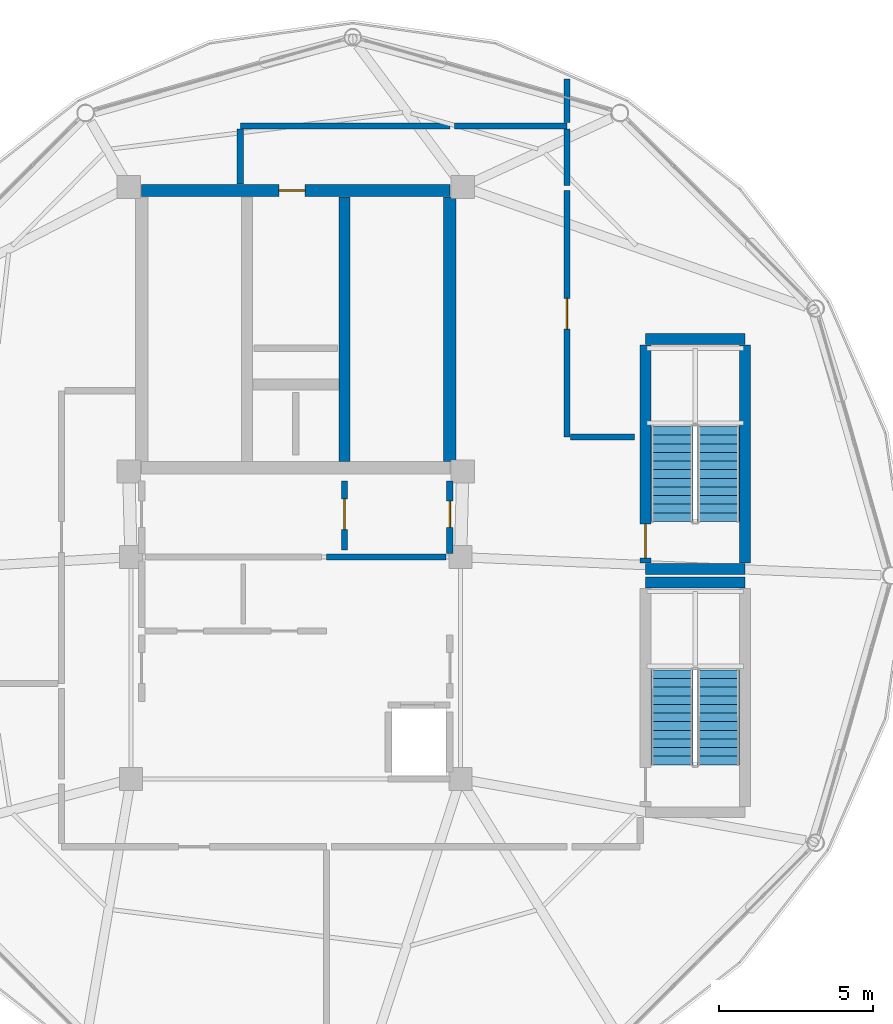
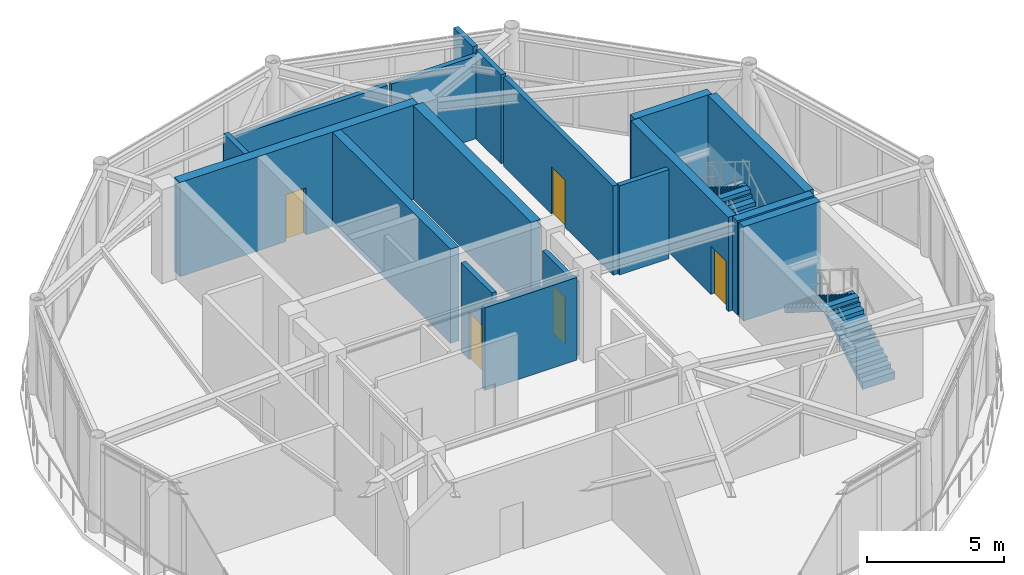
# One storey, part 17 of 20: 18 walls, 5 doors, 4 stair flights, 5 openings, 2 elements without a shape of their own.
"""IFC4 building model written with IfcOpenShell, lengths in metres."""

from ifc_helpers import new_model, si_unit, direction, frame, frame_2d, origin, place, context, subcontext, project, spatial, polyline, rectangle, outline, extrude, material, layer, layer_set, type_object, element, fill, aggregate, save


model = new_model("IFC4")

# Units and contexts
model_context = context("Model", 3, precision=1e-05, world=origin(), true_north=direction((0.0, 1.0)))
body_context = subcontext(model_context, "Body", "Model", "MODEL_VIEW")
ifc_project = project(units=[si_unit("LENGTHUNIT", "METRE"), si_unit("AREAUNIT", "SQUARE_METRE"), si_unit("VOLUMEUNIT", "CUBIC_METRE"), si_unit("PLANEANGLEUNIT", "RADIAN"), si_unit("MASSUNIT", "GRAM", prefix="KILO")], contexts=[model_context])

# Site, building, storey
site_placement = place(None, origin())
site = spatial("IfcSite", under=ifc_project, at=site_placement, CompositionType="ELEMENT")
building_placement = place(site_placement, origin())
building = spatial("IfcBuilding", under=site, at=building_placement, Name="Varnakorn Sky Granary", CompositionType="ELEMENT")
storey_placement = place(building_placement, frame((0.0, 0.0, 302.39990234375)))
storey = spatial("IfcBuildingStorey", under=building, at=storey_placement, Name="L77", CompositionType="ELEMENT", Elevation=302.39990234375)

# Walls
ifc_material_1 = material(Name="Concrete C50/60", Category="concrete")
ifc_layer_1 = layer(ifc_material_1, 0.35009765625, Name="Concrete C50/60")
ifc_layer_set_1 = layer_set([ifc_layer_1], Name="Concrete C50/60")
wall_type_1 = type_object("IfcWallType", Name="WT-CW-INT-350", PredefinedType="SHEAR", material=ifc_layer_set_1)
for number, where, z_axis, x_axis, name in (
    (1, (14.35009765625, 0.219970703125, 0.0), (0.0, 0.0, 1.0), (1.0, 0.0, 0.0), "Crown Stair STC1 South Wall L77"),
    (2, (14.35009765625, 7.679931640625, 0.0), (0.0, 0.0, 1.0), (1.0, 0.0, 0.0), "Crown Stair STC1 North Wall L77"),
):
    element("IfcWall", number, at=place(storey_placement, frame(where, z_axis=z_axis, x_axis=x_axis)), inside=storey, type_object=wall_type_1, Name=name, PredefinedType="SHEAR", context=body_context, shape_type="SweptSolid", body=[
        extrude(rectangle(XDim=3.22998046875, YDim=0.35009765625, at=frame_2d((1.614990234375, 0.0))), origin(), (0.0, 0.0, 1.0), 4.192138671875),
    ])

# Wall, opening, door
wall_1_placement = place(storey_placement, frame((14.35009765625, 0.409912109375, 0.0), z_axis=(0.0, 0.0, 1.0), x_axis=(0.0, 1.0, 0.0)))
wall_1 = element("IfcWall", 3, at=wall_1_placement, inside=storey, type_object=wall_type_1, Name="Crown Stair STC1 West Wall L77", PredefinedType="SHEAR", context=body_context, shape_type="SweptSolid", body=[
    extrude(rectangle(XDim=7.080078125, YDim=0.35009765625, at=frame_2d((3.5400390625, 0.0))), origin(), (0.0, 0.0, 1.0), 4.192138671875),
])
opening_1_placement = place(wall_1_placement, frame((0.159912109375, 0.0, 0.0)))
opening_1 = element("IfcOpeningElement", 4, at=opening_1_placement, cuts=wall_1, Name="Opening FD-90", PredefinedType="OPENING", context=body_context, shape_type="SweptSolid", body=[
    extrude(rectangle(XDim=1.10009765625, YDim=2.14990234375, at=frame_2d((0.550048828125, 1.074951171875))), frame((0.0, 0.18505859375, 0.0), z_axis=(0.0, -1.0, 0.0), x_axis=(1.0, 0.0, 0.0)), (0.0, 0.0, 1.0), 0.3701171875),
])
ifc_material_2 = material(Name="Galvanised Painted Steel Leaf", Category="steel")
door_type_1 = type_object("IfcDoorType", Name="DR-STAIR-1100", OperationType="NOTDEFINED", PredefinedType="DOOR", material=ifc_material_2)
door_1_placement = place(opening_1_placement, origin())
door_1 = element("IfcDoor", 5, at=door_1_placement, inside=storey, type_object=door_type_1, Name="Crown Stair STC1 Protected Fire Door L77", OperationType="SINGLE_SWING_LEFT", OverallHeight=2.14990234375, OverallWidth=1.10009765625, PredefinedType="DOOR", context=body_context, shape_type="SweptSolid", body=[
    extrude(rectangle(XDim=1.10009765625, YDim=2.14990234375, at=frame_2d((0.550048828125, 1.074951171875))), frame((0.0, 0.02490234375, 0.0), z_axis=(0.0, -1.0, 0.0), x_axis=(1.0, 0.0, 0.0)), (0.0, 0.0, 1.0), 0.050048828125),
])
fill(opening_1, door_1)

# Walls
wall_2_placement = place(storey_placement, frame((17.580078125, 0.409912109375, 0.0), z_axis=(0.0, 0.0, 1.0), x_axis=(0.0, 1.0, 0.0)))
element("IfcWall", 6, at=wall_2_placement, inside=storey, type_object=wall_type_1, Name="Crown Stair STC1 East Wall L77", PredefinedType="SHEAR", context=body_context, shape_type="SweptSolid", body=[
    extrude(rectangle(XDim=7.080078125, YDim=0.35009765625, at=frame_2d((3.5400390625, 0.0))), origin(), (0.0, 0.0, 1.0), 4.192138671875),
])
wall_3_placement = place(storey_placement, frame((14.35009765625, -0.219970703125, 0.0), z_axis=(0.0, 0.0, 1.0), x_axis=(1.0, 0.0, 0.0)))
element("IfcWall", 7, at=wall_3_placement, inside=storey, type_object=wall_type_1, Name="Crown Stair STC2 North Wall L77", PredefinedType="SHEAR", context=body_context, shape_type="SweptSolid", body=[
    extrude(rectangle(XDim=3.22998046875, YDim=0.35009765625, at=frame_2d((1.614990234375, 0.0))), origin(), (0.0, 0.0, 1.0), 4.192138671875),
])
wall_4_placement = place(storey_placement, frame((4.580078125, 3.7099609375, 0.0), z_axis=(0.0, 0.0, 1.0), x_axis=(0.0, 1.0, 0.0)))
element("IfcWall", 8, at=wall_4_placement, inside=storey, type_object=wall_type_1, Name="Stair ST-2 Core Wall L77", PredefinedType="SHEAR", context=body_context, shape_type="SweptSolid", body=[
    extrude(rectangle(XDim=8.580078125, YDim=0.35009765625, at=frame_2d((4.2900390625, 0.0))), origin(), (0.0, 0.0, 1.0), 4.192138671875),
])

# Wall, opening, door
ifc_layer_2 = layer(ifc_material_1, 0.39990234375, Name="Concrete C50/60")
ifc_layer_set_2 = layer_set([ifc_layer_2], Name="Concrete C50/60")
wall_type_2 = type_object("IfcWallType", Name="WT-CW-SHEAR-400", PredefinedType="SHEAR", material=ifc_layer_set_2)
wall_5_placement = place(storey_placement, frame((-2.0, 12.5, 0.0), z_axis=(0.0, 0.0, 1.0), x_axis=(1.0, 0.0, 0.0)))
wall_5 = element("IfcWall", 9, at=wall_5_placement, inside=storey, type_object=wall_type_2, Name="Core North Shear Wall L77", PredefinedType="SHEAR", context=body_context, shape_type="SweptSolid", body=[
    extrude(rectangle(XDim=10.0, YDim=0.39990234375, at=frame_2d((5.0, 0.0))), origin(), (0.0, 0.0, 1.0), 4.192138671875),
])
opening_2_placement = place(wall_5_placement, frame((4.449951171875, 0.0, 0.0)))
opening_2 = element("IfcOpeningElement", 10, at=opening_2_placement, cuts=wall_5, Name="Opening FD-60N", PredefinedType="OPENING", context=body_context, shape_type="SweptSolid", body=[
    extrude(rectangle(XDim=0.85009765625, YDim=2.10009765625, at=frame_2d((0.425048828125, 1.050048828125))), frame((0.0, 0.2099609375, 0.0), z_axis=(0.0, -1.0, 0.0), x_axis=(1.0, 0.0, 0.0)), (0.0, 0.0, 1.0), 0.419921875),
])
ifc_material_3 = material(Name="Acoustic Timber Fire Leaf", Category="wood")
door_type_2 = type_object("IfcDoorType", Name="DR-FD60-850", OperationType="NOTDEFINED", PredefinedType="DOOR", material=ifc_material_3)
door_2_placement = place(opening_2_placement, origin())
door_2 = element("IfcDoor", 11, at=door_2_placement, inside=storey, type_object=door_type_2, Name="Core North Service Door L77", OperationType="SINGLE_SWING_LEFT", OverallHeight=2.10009765625, OverallWidth=0.85009765625, PredefinedType="DOOR", context=body_context, shape_type="SweptSolid", body=[
    extrude(rectangle(XDim=0.85009765625, YDim=2.10009765625, at=frame_2d((0.425048828125, 1.050048828125))), frame((0.0, 0.02490234375, 0.0), z_axis=(0.0, -1.0, 0.0), x_axis=(1.0, 0.0, 0.0)), (0.0, 0.0, 1.0), 0.050048828125),
])
fill(opening_2, door_2)

# Wall
wall_6_placement = place(storey_placement, frame((8.0, 3.7099609375, 0.0), z_axis=(0.0, 0.0, 1.0), x_axis=(0.0, 1.0, 0.0)))
element("IfcWall", 12, at=wall_6_placement, inside=storey, type_object=wall_type_2, Name="Core East Shear Wall L77", PredefinedType="SHEAR", context=body_context, shape_type="SweptSolid", body=[
    extrude(rectangle(XDim=8.580078125, YDim=0.39990234375, at=frame_2d((4.2900390625, 0.0))), origin(), (0.0, 0.0, 1.0), 4.192138671875),
])

# Wall, opening, door
ifc_material_4 = material(Name="Autoclaved Aerated Concrete Blockwork", Category="masonry")
ifc_layer_3 = layer(ifc_material_4, 0.199951171875, Name="Autoclaved Aerated Concrete Blockwork")
ifc_layer_set_3 = layer_set([ifc_layer_3], Name="Autoclaved Aerated Concrete Blockwork")
wall_type_3 = type_object("IfcWallType", Name="WT-FIRE-200", PredefinedType="MOVABLE", material=ifc_layer_set_3)
wall_7_placement = place(storey_placement, frame((4.580078125, 0.830078125, 0.0), z_axis=(0.0, 0.0, 1.0), x_axis=(0.0, 1.0, 0.0)))
wall_7 = element("IfcWall", 13, at=wall_7_placement, inside=storey, type_object=wall_type_3, Name="Interior Partition Wall L77-008", PredefinedType="MOVABLE", context=body_context, shape_type="SweptSolid", body=[
    extrude(rectangle(XDim=2.239990234375, YDim=0.199951171875, at=frame_2d((1.1201171875, 0.0))), origin(), (0.0, 0.0, 1.0), 3.960205078125),
])
opening_3_placement = place(wall_7_placement, frame((0.659912109375, 0.0, 0.0)))
opening_3 = element("IfcOpeningElement", 14, at=opening_3_placement, cuts=wall_7, Name="Opening FD-60", PredefinedType="OPENING", context=body_context, shape_type="SweptSolid", body=[
    extrude(rectangle(XDim=1.0, YDim=2.10009765625, at=frame_2d((0.5, 1.050048828125))), frame((0.0, 0.10986328125, 0.0), z_axis=(0.0, -1.0, 0.0), x_axis=(1.0, 0.0, 0.0)), (0.0, 0.0, 1.0), 0.219970703125),
])
door_type_3 = type_object("IfcDoorType", Name="DR-FD60-1000", OperationType="NOTDEFINED", PredefinedType="DOOR", material=ifc_material_3)
door_3_placement = place(opening_3_placement, origin())
door_3 = element("IfcDoor", 15, at=door_3_placement, inside=storey, type_object=door_type_3, Name="Interior Door L77-008-1", OperationType="SINGLE_SWING_RIGHT", OverallHeight=2.10009765625, OverallWidth=1.0, PredefinedType="DOOR", context=body_context, shape_type="SweptSolid", body=[
    extrude(rectangle(XDim=1.0, YDim=2.10009765625, at=frame_2d((0.5, 1.050048828125))), frame((0.0, 0.02490234375, 0.0), z_axis=(0.0, -1.0, 0.0), x_axis=(1.0, 0.0, 0.0)), (0.0, 0.0, 1.0), 0.050048828125),
])
fill(opening_3, door_3)

wall_8_placement = place(storey_placement, frame((8.0, 0.719970703125, 0.0), z_axis=(0.0, 0.0, 1.0), x_axis=(0.0, 1.0, 0.0)))
wall_8 = element("IfcWall", 16, at=wall_8_placement, inside=storey, type_object=wall_type_3, Name="Interior Partition Wall L77-010", PredefinedType="MOVABLE", context=body_context, shape_type="SweptSolid", body=[
    extrude(rectangle(XDim=2.35009765625, YDim=0.199951171875, at=frame_2d((1.175048828125, 0.0))), origin(), (0.0, 0.0, 1.0), 3.2919921875),
])
opening_4_placement = place(wall_8_placement, frame((0.844970703125, 0.0, 0.0)))
opening_4 = element("IfcOpeningElement", 17, at=opening_4_placement, cuts=wall_8, Name="Opening FD-60N", PredefinedType="OPENING", context=body_context, shape_type="SweptSolid", body=[
    extrude(rectangle(XDim=0.85009765625, YDim=2.10009765625, at=frame_2d((0.425048828125, 1.050048828125))), frame((0.0, 0.10986328125, 0.0), z_axis=(0.0, -1.0, 0.0), x_axis=(1.0, 0.0, 0.0)), (0.0, 0.0, 1.0), 0.219970703125),
])
door_4_placement = place(opening_4_placement, origin())
door_4 = element("IfcDoor", 18, at=door_4_placement, inside=storey, type_object=door_type_2, Name="Interior Door L77-010-1", OperationType="SINGLE_SWING_RIGHT", OverallHeight=2.10009765625, OverallWidth=0.85009765625, PredefinedType="DOOR", context=body_context, shape_type="SweptSolid", body=[
    extrude(rectangle(XDim=0.85009765625, YDim=2.10009765625, at=frame_2d((0.425048828125, 1.050048828125))), frame((0.0, 0.02490234375, 0.0), z_axis=(0.0, -1.0, 0.0), x_axis=(1.0, 0.0, 0.0)), (0.0, 0.0, 1.0), 0.050048828125),
])
fill(opening_4, door_4)

wall_9_placement = place(storey_placement, frame((11.800048828125, 4.5, 0.0), z_axis=(0.0, 0.0, 1.0), x_axis=(0.0, 1.0, 0.0)))
wall_9 = element("IfcWall", 19, at=wall_9_placement, inside=storey, type_object=wall_type_3, Name="Interior Partition Wall L77-016", PredefinedType="MOVABLE", context=body_context, shape_type="SweptSolid", body=[
    extrude(rectangle(XDim=8.0, YDim=0.199951171875, at=frame_2d((4.0, 0.0))), origin(), (0.0, 0.0, 1.0), 3.960205078125),
])
opening_5_placement = place(wall_9_placement, frame((3.5, 0.0, 0.0)))
opening_5 = element("IfcOpeningElement", 20, at=opening_5_placement, cuts=wall_9, Name="Opening FD-60", PredefinedType="OPENING", context=body_context, shape_type="SweptSolid", body=[
    extrude(rectangle(XDim=1.0, YDim=2.10009765625, at=frame_2d((0.5, 1.050048828125))), frame((0.0, 0.10986328125, 0.0), z_axis=(0.0, -1.0, 0.0), x_axis=(1.0, 0.0, 0.0)), (0.0, 0.0, 1.0), 0.219970703125),
])
door_5_placement = place(opening_5_placement, origin())
door_5 = element("IfcDoor", 21, at=door_5_placement, inside=storey, type_object=door_type_3, Name="Interior Door L77-016-1", OperationType="SINGLE_SWING_LEFT", OverallHeight=2.10009765625, OverallWidth=1.0, PredefinedType="DOOR", context=body_context, shape_type="SweptSolid", body=[
    extrude(rectangle(XDim=1.0, YDim=2.10009765625, at=frame_2d((0.5, 1.050048828125))), frame((0.0, 0.02490234375, 0.0), z_axis=(0.0, -1.0, 0.0), x_axis=(1.0, 0.0, 0.0)), (0.0, 0.0, 1.0), 0.050048828125),
])
fill(opening_5, door_5)

# Walls
wall_10_placement = place(storey_placement, frame((8.0, 14.60009765625, 0.0), z_axis=(0.0, 0.0, 1.0), x_axis=(-1.0, 0.0, 0.0)))
element("IfcWall", 22, at=wall_10_placement, inside=storey, type_object=wall_type_3, Name="Interior Partition Wall L77-020", PredefinedType="MOVABLE", context=body_context, shape_type="SweptSolid", body=[
    extrude(rectangle(XDim=6.800048828125, YDim=0.199951171875, at=frame_2d((3.39990234375, 0.0))), origin(), (0.0, 0.0, 1.0), 3.672119140625),
])
wall_11_placement = place(storey_placement, frame((11.800048828125, 14.60009765625, 0.0), z_axis=(0.0, 0.0, 1.0), x_axis=(-1.0, 0.0, 0.0)))
element("IfcWall", 23, at=wall_11_placement, inside=storey, type_object=wall_type_3, Name="Interior Partition Wall L77-021", PredefinedType="MOVABLE", context=body_context, shape_type="SweptSolid", body=[
    extrude(rectangle(XDim=3.64013671875, YDim=0.199951171875, at=frame_2d((1.820068359375, 0.0))), origin(), (0.0, 0.0, 1.0), 3.672119140625),
])
wall_12_placement = place(storey_placement, frame((1.199951171875, 14.489990234375, 0.0), z_axis=(0.0, 0.0, 1.0), x_axis=(0.0, -1.0, 0.0)))
element("IfcWall", 24, at=wall_12_placement, inside=storey, type_object=wall_type_3, Name="Interior Partition Wall L77-023", PredefinedType="MOVABLE", context=body_context, shape_type="SweptSolid", body=[
    extrude(rectangle(XDim=1.780029296875, YDim=0.199951171875, at=frame_2d((0.89013671875, 0.0))), origin(), (0.0, 0.0, 1.0), 3.960205078125),
])
wall_13_placement = place(storey_placement, frame((13.9951171875, 4.5, 0.0), z_axis=(0.0, 0.0, 1.0), x_axis=(-1.0, 0.0, 0.0)))
element("IfcWall", 25, at=wall_13_placement, inside=storey, type_object=wall_type_3, Name="Interior Partition Wall L77-028", PredefinedType="MOVABLE", context=body_context, shape_type="SweptSolid", body=[
    extrude(rectangle(XDim=2.085205078125, YDim=0.199951171875, at=frame_2d((1.04248046875, 0.0))), origin(), (0.0, 0.0, 1.0), 3.960205078125),
])
wall_14_placement = place(storey_placement, frame((11.800048828125, 12.659912109375, 0.0), z_axis=(0.0, 0.0, 1.0), x_axis=(0.0, 1.0, 0.0)))
element("IfcWall", 26, at=wall_14_placement, inside=storey, type_object=wall_type_3, Name="Interior Partition Wall L77-029", PredefinedType="MOVABLE", context=body_context, shape_type="SweptSolid", body=[
    extrude(rectangle(XDim=1.830078125, YDim=0.199951171875, at=frame_2d((0.9150390625, 0.0))), origin(), (0.0, 0.0, 1.0), 3.960205078125),
])
wall_15_placement = place(storey_placement, frame((11.800048828125, 16.117919921875, 0.0), z_axis=(0.0, 0.0, 1.0), x_axis=(0.0, -1.0, 0.0)))
element("IfcWall", 27, at=wall_15_placement, inside=storey, type_object=wall_type_3, Name="Interior Partition Wall L77-032", PredefinedType="MOVABLE", context=body_context, shape_type="SweptSolid", body=[
    extrude(rectangle(XDim=1.407958984375, YDim=0.199951171875, at=frame_2d((0.7041015625, 0.0))), origin(), (0.0, 0.0, 1.0), 3.960205078125),
])
ifc_layer_4 = layer(ifc_material_4, 0.199951171875, Name="Autoclaved Aerated Concrete Blockwork")
ifc_layer_set_4 = layer_set([ifc_layer_4], Name="Autoclaved Aerated Concrete Blockwork")
wall_type_4 = type_object("IfcWallType", Name="WT-SHAFT-200", PredefinedType="SOLIDWALL", material=ifc_layer_set_4)
wall_16_placement = place(storey_placement, frame((4.0, 0.60009765625, 0.0), z_axis=(0.0, 0.0, 1.0), x_axis=(1.0, 0.0, 0.0)))
element("IfcWall", 28, at=wall_16_placement, inside=storey, type_object=wall_type_4, Name="Interior Partition Wall L77-003", PredefinedType="SOLIDWALL", context=body_context, shape_type="SweptSolid", body=[
    extrude(rectangle(XDim=3.8798828125, YDim=0.199951171875, at=frame_2d((1.93994140625, 0.0))), origin(), (0.0, 0.0, 1.0), 3.672119140625),
])

# Stair, stair flights
ifc_material_5 = material(Name="Concrete C40/50", Category="concrete")
stair_type = type_object("IfcStairType", Name="ST-CRWN-ASSEMBLY", PredefinedType="HALF_TURN_STAIR", material=ifc_material_5)
stair_1_placement = place(storey_placement, origin())
stair_1 = element("IfcStair", 29, at=stair_1_placement, inside=storey, type_object=stair_type, Name="L77 Crown North Exit Stair ST-C1", PredefinedType="HALF_TURN_STAIR")
stair_flight_type = type_object("IfcStairFlightType", Name="ST-CRWN-FLIGHT", PredefinedType="STRAIGHT", material=ifc_material_5)
stair_flight_1_placement = place(storey_placement, frame((16.719970703125, 1.760009765625, 0.0), z_axis=(0.0, 0.0, 1.0), x_axis=(0.0, 1.0, 0.0)))
stair_flight_1 = element("IfcStairFlight", 30, at=stair_flight_1_placement, type_object=stair_flight_type, Name="ST-C1 flight 1", NumberOfRisers=12, NumberOfTreads=11, PredefinedType="STRAIGHT", RiserHeight=0.175, TreadLength=0.28, context=body_context, shape_type="SweptSolid", body=[
    extrude(outline(polyline([(0.0, -0.14990234375), (0.0, 0.0), (0.0, 0.175048828125), (0.280029296875, 0.175048828125), (0.280029296875, 0.35009765625), (0.56005859375, 0.35009765625), (0.56005859375, 0.52490234375), (0.840087890625, 0.52490234375), (0.840087890625, 0.699951171875), (1.1201171875, 0.699951171875), (1.1201171875, 0.875), (1.39990234375, 0.875), (1.39990234375, 1.050048828125), (1.679931640625, 1.050048828125), (1.679931640625, 1.22509765625), (1.9599609375, 1.22509765625), (1.9599609375, 1.39990234375), (2.239990234375, 1.39990234375), (2.239990234375, 1.574951171875), (2.52001953125, 1.574951171875), (2.52001953125, 1.75), (2.800048828125, 1.75), (2.800048828125, 1.925048828125), (3.080078125, 1.925048828125), (3.080078125, 2.10009765625), (3.080078125, 1.748291015625), (0.050048828125, -0.14990234375), (0.0, -0.14990234375)])), frame((0.0, 0.68017578125, 0.0), z_axis=(0.0, -1.0, 0.0), x_axis=(1.0, 0.0, 0.0)), (0.0, 0.0, 1.0), 1.360107421875),
])
stair_flight_2_placement = place(storey_placement, frame((15.2099609375, 4.840087890625, 2.10009765625), z_axis=(0.0, 0.0, 1.0), x_axis=(0.0, -1.0, 0.0)))
stair_flight_2 = element("IfcStairFlight", 31, at=stair_flight_2_placement, type_object=stair_flight_type, Name="ST-C1 flight 2", NumberOfRisers=12, NumberOfTreads=11, PredefinedType="STRAIGHT", RiserHeight=0.175, TreadLength=0.28, context=body_context, shape_type="SweptSolid", body=[
    extrude(outline(polyline([(0.0, -0.14990234375), (0.0, 0.0), (0.0, 0.175048828125), (0.280029296875, 0.175048828125), (0.280029296875, 0.35009765625), (0.56005859375, 0.35009765625), (0.56005859375, 0.52490234375), (0.840087890625, 0.52490234375), (0.840087890625, 0.699951171875), (1.1201171875, 0.699951171875), (1.1201171875, 0.875), (1.39990234375, 0.875), (1.39990234375, 1.050048828125), (1.679931640625, 1.050048828125), (1.679931640625, 1.22509765625), (1.9599609375, 1.22509765625), (1.9599609375, 1.39990234375), (2.239990234375, 1.39990234375), (2.239990234375, 1.574951171875), (2.52001953125, 1.574951171875), (2.52001953125, 1.75), (2.800048828125, 1.75), (2.800048828125, 1.925048828125), (3.080078125, 1.925048828125), (3.080078125, 2.10009765625), (3.080078125, 1.748291015625), (0.050048828125, -0.14990234375), (0.0, -0.14990234375)])), frame((0.0, 0.68017578125, 0.0), z_axis=(0.0, -1.0, 0.0), x_axis=(1.0, 0.0, 0.0)), (0.0, 0.0, 1.0), 1.360107421875),
])
aggregate(stair_1, [stair_flight_1, stair_flight_2])

stair_2_placement = place(storey_placement, origin())
stair_2 = element("IfcStair", 32, at=stair_2_placement, inside=storey, type_object=stair_type, Name="L77 Crown South Exit Stair ST-C2", PredefinedType="HALF_TURN_STAIR")
stair_flight_3_placement = place(storey_placement, frame((16.719970703125, -6.139892578125, 0.0), z_axis=(0.0, 0.0, 1.0), x_axis=(0.0, 1.0, 0.0)))
stair_flight_3 = element("IfcStairFlight", 33, at=stair_flight_3_placement, type_object=stair_flight_type, Name="ST-C2 flight 1", NumberOfRisers=12, NumberOfTreads=11, PredefinedType="STRAIGHT", RiserHeight=0.175, TreadLength=0.28, context=body_context, shape_type="SweptSolid", body=[
    extrude(outline(polyline([(0.0, -0.14990234375), (0.0, 0.0), (0.0, 0.175048828125), (0.280029296875, 0.175048828125), (0.280029296875, 0.35009765625), (0.56005859375, 0.35009765625), (0.56005859375, 0.52490234375), (0.840087890625, 0.52490234375), (0.840087890625, 0.699951171875), (1.1201171875, 0.699951171875), (1.1201171875, 0.875), (1.39990234375, 0.875), (1.39990234375, 1.050048828125), (1.679931640625, 1.050048828125), (1.679931640625, 1.22509765625), (1.9599609375, 1.22509765625), (1.9599609375, 1.39990234375), (2.239990234375, 1.39990234375), (2.239990234375, 1.574951171875), (2.52001953125, 1.574951171875), (2.52001953125, 1.75), (2.800048828125, 1.75), (2.800048828125, 1.925048828125), (3.080078125, 1.925048828125), (3.080078125, 2.10009765625), (3.080078125, 1.748291015625), (0.050048828125, -0.14990234375), (0.0, -0.14990234375)])), frame((0.0, 0.68017578125, 0.0), z_axis=(0.0, -1.0, 0.0), x_axis=(1.0, 0.0, 0.0)), (0.0, 0.0, 1.0), 1.360107421875),
])
stair_flight_4_placement = place(storey_placement, frame((15.2099609375, -3.06005859375, 2.10009765625), z_axis=(0.0, 0.0, 1.0), x_axis=(0.0, -1.0, 0.0)))
stair_flight_4 = element("IfcStairFlight", 34, at=stair_flight_4_placement, type_object=stair_flight_type, Name="ST-C2 flight 2", NumberOfRisers=12, NumberOfTreads=11, PredefinedType="STRAIGHT", RiserHeight=0.175, TreadLength=0.28, context=body_context, shape_type="SweptSolid", body=[
    extrude(outline(polyline([(0.0, -0.14990234375), (0.0, 0.0), (0.0, 0.175048828125), (0.280029296875, 0.175048828125), (0.280029296875, 0.35009765625), (0.56005859375, 0.35009765625), (0.56005859375, 0.52490234375), (0.840087890625, 0.52490234375), (0.840087890625, 0.699951171875), (1.1201171875, 0.699951171875), (1.1201171875, 0.875), (1.39990234375, 0.875), (1.39990234375, 1.050048828125), (1.679931640625, 1.050048828125), (1.679931640625, 1.22509765625), (1.9599609375, 1.22509765625), (1.9599609375, 1.39990234375), (2.239990234375, 1.39990234375), (2.239990234375, 1.574951171875), (2.52001953125, 1.574951171875), (2.52001953125, 1.75), (2.800048828125, 1.75), (2.800048828125, 1.925048828125), (3.080078125, 1.925048828125), (3.080078125, 2.10009765625), (3.080078125, 1.748291015625), (0.050048828125, -0.14990234375), (0.0, -0.14990234375)])), frame((0.0, 0.68017578125, 0.0), z_axis=(0.0, -1.0, 0.0), x_axis=(1.0, 0.0, 0.0)), (0.0, 0.0, 1.0), 1.360107421875),
])
aggregate(stair_2, [stair_flight_3, stair_flight_4])

save(model, "model.ifc")
